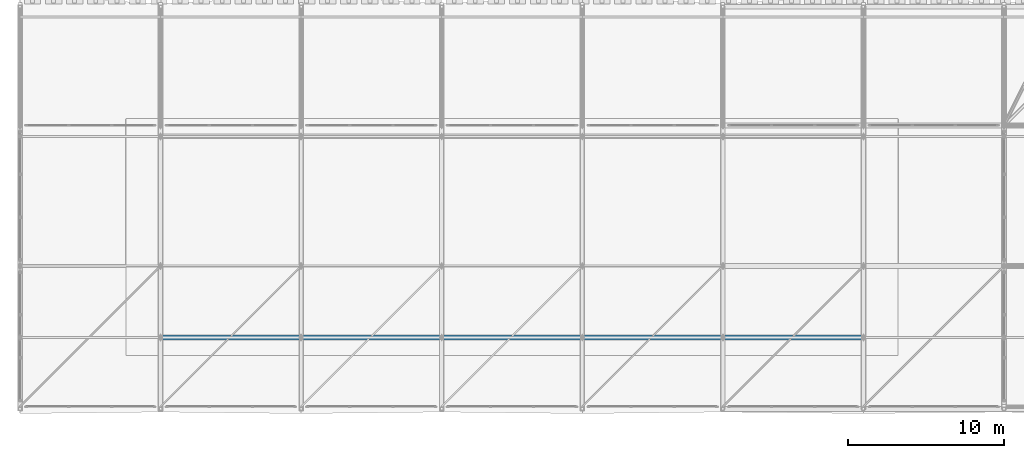
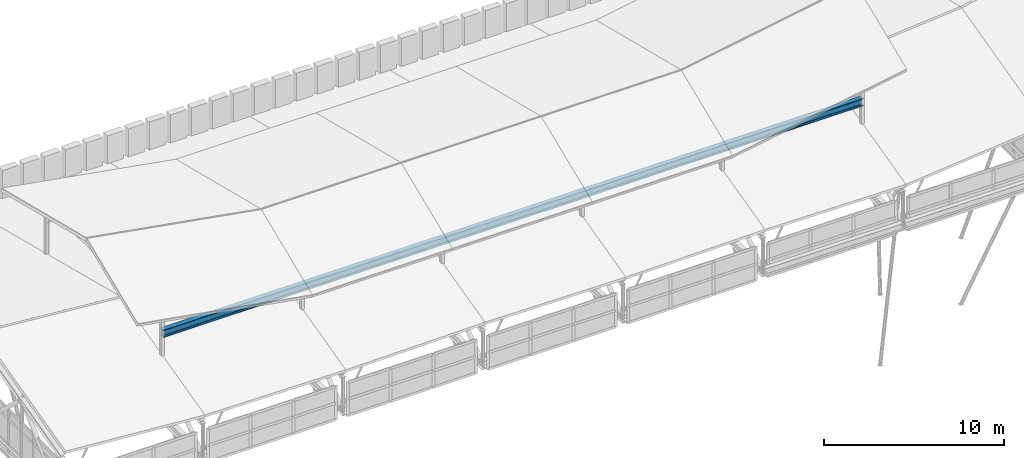
# One storey, part 4 of 42: 1 beam.
"""IFC4 building model written with IfcOpenShell, lengths in metres."""

import ifcopenshell
import ifcopenshell.guid

model = None  # the IFC model being written
_history = None  # IfcOwnerHistory: only IFC2X3 demands one
_inside = {}  # id of a spatial element -> (the spatial element, [elements in it])
_under = {}  # id of a project, library or spatial element -> (it, [spatial elements below it])
_declared = {}  # id of a project -> (the project, [libraries it declares])
_typed = {}  # id of a type object -> (the type object, [elements of that type])
_made_of = {}  # id of a material, layer set ... -> (it, [elements and type objects made of it])


def new_model(schema):
    """Start an empty IFC model of exactly this schema.

    Asked for "IFC4X3", IfcOpenShell would pick the latest addendum, in which some entities
    have other attributes; the version numbers below select the first issue.
    IFC2X3 requires an IfcOwnerHistory on every rooted entity: one is made here for all.
    """
    global model, _history
    if schema == "IFC4X3":
        model = ifcopenshell.file(schema_version=(4, 3, 0, 0))
    else:
        model = ifcopenshell.file(schema=schema)
    _inside.clear()
    _under.clear()
    _declared.clear()
    _typed.clear()
    _made_of.clear()
    _history = None
    if model.schema == "IFC2X3":
        org = make("IfcOrganization", Name="unknown")
        user = make(
            "IfcPersonAndOrganization",
            ThePerson=make("IfcPerson", FamilyName="unknown"),
            TheOrganization=org,
        )
        app = make(
            "IfcApplication",
            ApplicationDeveloper=org,
            Version="unknown",
            ApplicationFullName="unknown",
            ApplicationIdentifier="unknown",
        )
        _history = make(
            "IfcOwnerHistory",
            OwningUser=user,
            OwningApplication=app,
            ChangeAction="ADDED",
            CreationDate=0,
        )
    return model


def make(cls, **values):
    """One entity of the class cls with the attributes given. An attribute that is None is left unset."""
    return model.create_entity(
        cls, **{name: value for name, value in values.items() if value is not None}
    )


def rooted(cls, **values):
    """An entity with a GlobalId (a new one), such as an element, a storey or a relation."""
    return make(cls, GlobalId=ifcopenshell.guid.new(), OwnerHistory=_history, **values)


def si_unit(unit_type, name, prefix=None):
    """IfcSIUnit, for example si_unit("LENGTHUNIT", "METRE", prefix="MILLI")."""
    return make("IfcSIUnit", UnitType=unit_type, Prefix=prefix, Name=name)


def assignment(units):
    """IfcUnitAssignment: the units of a project."""
    return None if units is None else make("IfcUnitAssignment", Units=units)


def point(xyz):
    """IfcCartesianPoint."""
    return None if xyz is None else make("IfcCartesianPoint", Coordinates=xyz)


def direction(xyz):
    """IfcDirection."""
    return None if xyz is None else make("IfcDirection", DirectionRatios=xyz)


def frame(location, z_axis=None, x_axis=None):
    """IfcAxis2Placement3D, a coordinate frame: its origin and axes. An axis left out is left unset."""
    return make(
        "IfcAxis2Placement3D",
        Location=point(location),
        Axis=direction(z_axis),
        RefDirection=direction(x_axis),
    )


def frame_2d(location, x_axis=None):
    """IfcAxis2Placement2D, a coordinate frame in the plane: its origin and x axis."""
    return make(
        "IfcAxis2Placement2D", Location=point(location), RefDirection=direction(x_axis)
    )


def origin():
    """The frame at (0, 0, 0) with its axes left unset."""
    return frame((0.0, 0.0, 0.0))


def origin_2d():
    """The frame at (0, 0) in the plane with its x axis left unset."""
    return frame_2d((0.0, 0.0))


def place(relative_to, where):
    """IfcLocalPlacement: puts the frame where relative to a parent placement (None: the world)."""
    return make(
        "IfcLocalPlacement", PlacementRelTo=relative_to, RelativePlacement=where
    )


def context(
    kind, dimensions, precision=None, world=None, true_north=None, identifier=None
):
    """IfcGeometricRepresentationContext, for example the 3D "Model" context."""
    return make(
        "IfcGeometricRepresentationContext",
        ContextIdentifier=identifier,
        ContextType=kind,
        CoordinateSpaceDimension=dimensions,
        Precision=precision,
        WorldCoordinateSystem=world,
        TrueNorth=true_north,
    )


def subcontext(parent, identifier, kind, view, scale=None):
    """IfcGeometricRepresentationSubContext, for example "Body" below "Model"."""
    return make(
        "IfcGeometricRepresentationSubContext",
        ContextIdentifier=identifier,
        ContextType=kind,
        ParentContext=parent,
        TargetScale=scale,
        TargetView=view,
    )


def project(units=None, contexts=None):
    """IfcProject with its units and contexts."""
    return rooted(
        "IfcProject",
        Name="project",
        RepresentationContexts=contexts,
        UnitsInContext=assignment(units),
    )


def spatial(cls, under=None, at=None, **own):
    """A site, building, storey or space (cls), placed at a placement, below another one or the project."""
    s = rooted(cls, ObjectPlacement=at, **own)
    if under is not None:
        _under.setdefault(under.id(), (under, []))[1].append(s)
    return s


def profile(cls, at=None, kind="AREA", **sizes):
    """A parametric profile (cls). Its sizes go by their IFC names, for example OverallWidth=200.0."""
    return make(cls, ProfileType=kind, Position=at, **sizes)


def i_section(**sizes):
    """IfcIShapeProfileDef."""
    return profile("IfcIShapeProfileDef", **sizes)


def extrude(swept, where, along, depth):
    """IfcExtrudedAreaSolid: the profile swept, set in the frame where, extruded along a direction by depth."""
    return make(
        "IfcExtrudedAreaSolid",
        SweptArea=swept,
        Position=where,
        ExtrudedDirection=direction(along),
        Depth=depth,
    )


def shape(context_of_items, identifier, shape_type, items):
    """IfcShapeRepresentation: the items that make up one representation, for example the "Body"."""
    return make(
        "IfcShapeRepresentation",
        ContextOfItems=context_of_items,
        RepresentationIdentifier=identifier,
        RepresentationType=shape_type,
        Items=items,
    )


def material(Name=None, Category=None):
    """IfcMaterial."""
    return make("IfcMaterial", Name=Name, Category=Category)


def material_profile(
    of_material, cross_section, Name=None, Category=None, Priority=None
):
    """IfcMaterialProfile: a cross section and its material."""
    return make(
        "IfcMaterialProfile",
        Name=Name,
        Material=of_material,
        Profile=cross_section,
        Priority=Priority,
        Category=Category,
    )


def profile_set(profiles, Name=None, composite=None):
    """IfcMaterialProfileSet."""
    return make(
        "IfcMaterialProfileSet",
        Name=Name,
        MaterialProfiles=profiles,
        CompositeProfile=composite,
    )


def made_of(thing, what):
    """Note that an element or type object is made of a material, layer set ...; save() writes the relation."""
    if what is not None:
        _made_of.setdefault(what.id(), (what, []))[1].append(thing)
    return thing


def type_object(cls, material=None, **own):
    """A type object (cls), such as IfcWallType, which elements share."""
    return made_of(rooted(cls, **own), material)


def element(
    cls,
    number,
    at=None,
    inside=None,
    cuts=None,
    type_object=None,
    material=None,
    context=None,
    identifier="Body",
    shape_type=None,
    held_by="IfcProductDefinitionShape",
    body=None,
    shapes=None,
    **own,
):
    """One element of the class cls, such as IfcWall. Its Tag is "e" and its number.

    at: its placement. inside: the storey or other place that contains it. cuts: it is an
    opening in that element (IfcRelVoidsElement). A single representation is given by context,
    identifier, shape_type and body (its items); several are given by shapes. held_by: the class
    of the entity that holds the representations. save() writes the other relations.
    """
    e = rooted(cls, Tag="e%d" % number, ObjectPlacement=at, **own)
    if body is not None:
        shapes = [shape(context, identifier, shape_type, body)]
    if shapes is not None:
        e.Representation = make(held_by, Representations=shapes)
    if inside is not None:
        _inside.setdefault(inside.id(), (inside, []))[1].append(e)
    if cuts is not None:
        rooted(
            "IfcRelVoidsElement", RelatingBuildingElement=cuts, RelatedOpeningElement=e
        )
    if type_object is not None:
        _typed.setdefault(type_object.id(), (type_object, []))[1].append(e)
    return made_of(e, material)


def aggregate(whole, parts):
    """IfcRelAggregates: a whole, such as a stair, and the parts it consists of."""
    return rooted("IfcRelAggregates", RelatingObject=whole, RelatedObjects=parts)


def save(model, path):
    """Write the relations noted so far, then the file.

    IfcRelAggregates (storeys below a building ...), IfcRelContainedInSpatialStructure (elements
    in a storey), IfcRelDefinesByType, IfcRelAssociatesMaterial and IfcRelDeclares: one each for
    every whole, place, type object, material and project.
    """
    for whole, parts in _under.values():
        aggregate(whole, parts)
    for where, things in _inside.values():
        rooted(
            "IfcRelContainedInSpatialStructure",
            RelatedElements=things,
            RelatingStructure=where,
        )
    for kind, things in _typed.values():
        rooted("IfcRelDefinesByType", RelatedObjects=things, RelatingType=kind)
    for what, things in _made_of.values():
        rooted("IfcRelAssociatesMaterial", RelatedObjects=things, RelatingMaterial=what)
    for by, libraries in _declared.values():
        rooted("IfcRelDeclares", RelatingContext=by, RelatedDefinitions=libraries)
    model.write(path)


model = new_model("IFC4")

# Units and contexts
model_context = context("Model", 3, precision=1e-05, world=origin(), true_north=direction((0.0, 1.0)))
body_context = subcontext(model_context, "Body", "Model", "MODEL_VIEW")
ifc_project = project(units=[si_unit("LENGTHUNIT", "METRE"), si_unit("AREAUNIT", "SQUARE_METRE"), si_unit("VOLUMEUNIT", "CUBIC_METRE"), si_unit("PLANEANGLEUNIT", "RADIAN"), si_unit("MASSUNIT", "GRAM", prefix="KILO")], contexts=[model_context])

# Site, building, storey
site_placement = place(None, origin())
site = spatial("IfcSite", under=ifc_project, at=site_placement, CompositionType="ELEMENT")
building_placement = place(site_placement, origin())
building = spatial("IfcBuilding", under=site, at=building_placement, Name="Bozkorgan Art Gallery", CompositionType="ELEMENT")
storey_placement = place(building_placement, frame((0.0, 0.0, 28.800048828125)))
storey = spatial("IfcBuildingStorey", under=building, at=storey_placement, Name="RF", CompositionType="ELEMENT", Elevation=28.800048828125)

# Beam
ifc_material = material(Name="Steel S355J2", Category="steel")
ifc_material_profile = material_profile(ifc_material, i_section(OverallWidth=0.300048828125, OverallDepth=0.5, WebThickness=0.014404296875, FlangeThickness=0.028076171875, FilletRadius=0.027099609375, at=origin_2d()), Name="HEB 500")
ifc_profile_set = profile_set([ifc_material_profile], Name="Steel S355J2")
beam_type = type_object("IfcBeamType", Name="BEAM-TO-52", PredefinedType="BEAM", material=ifc_profile_set)
beam_placement = place(storey_placement, frame((11.0, 6.425048828125, 5.925048828125), z_axis=(1.0, 0.0, 0.0), x_axis=(0.0, 1.0, 0.0)))
element("IfcBeam", 1, at=beam_placement, inside=storey, type_object=beam_type, Name="V1 stacked roof longitudinal tie 1", PredefinedType="BEAM", context=body_context, shape_type="SweptSolid", body=[
    extrude(i_section(OverallWidth=0.300048828125, OverallDepth=0.5, WebThickness=0.014404296875, FlangeThickness=0.028076171875, FilletRadius=0.027099609375, at=origin_2d()), origin(), (0.0, 0.0, 1.0), 45.0),
])

save(model, "model.ifc")
